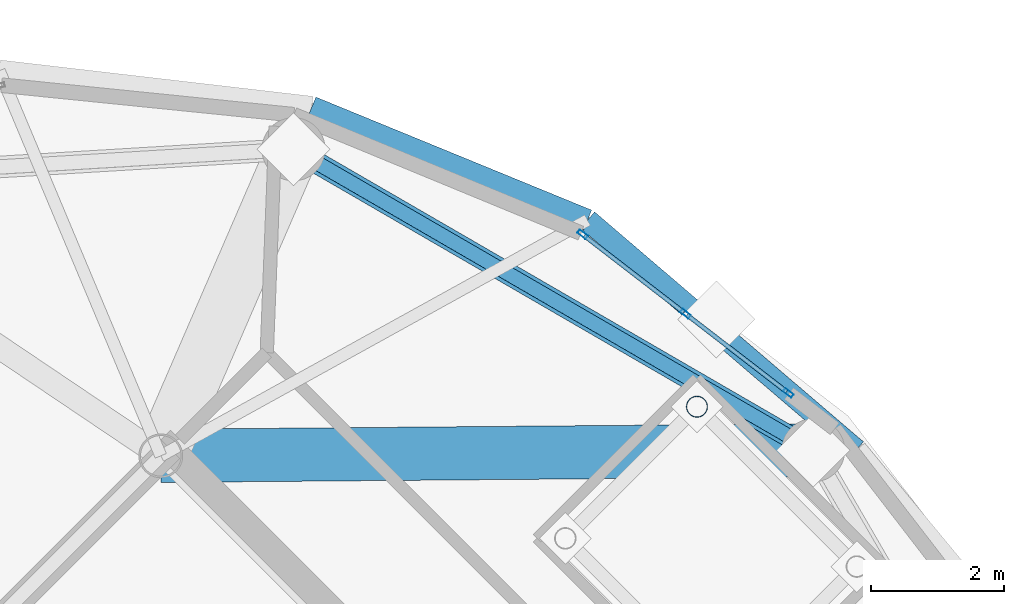
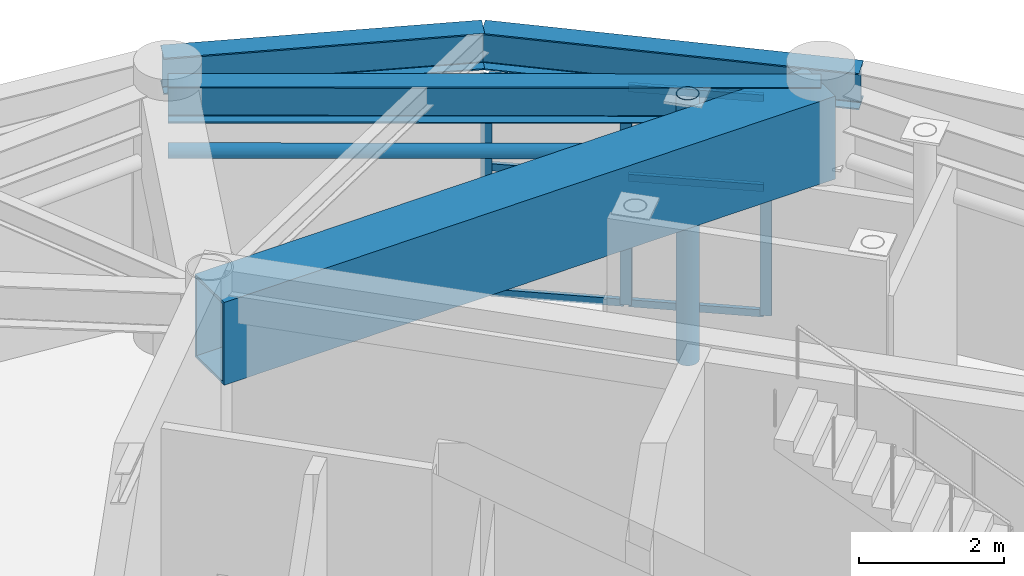
# One storey, part 18 of 28: 11 members, 4 beams, 1 element without a shape of its own.
"""IFC4 building model written with IfcOpenShell, lengths in metres."""

from ifc_helpers import new_model, si_unit, direction, frame, origin, origin_2d, place, context, subcontext, project, spatial, hollow_rectangle, hollow_circle, i_section, extrude, material, layer, layer_set, material_profile, profile_set, type_object, element, aggregate, save


model = new_model("IFC4")

# Units and contexts
model_context = context("Model", 3, precision=1e-05, world=origin(), true_north=direction((0.0, 1.0)))
body_context = subcontext(model_context, "Body", "Model", "MODEL_VIEW")
ifc_project = project(units=[si_unit("LENGTHUNIT", "METRE"), si_unit("AREAUNIT", "SQUARE_METRE"), si_unit("VOLUMEUNIT", "CUBIC_METRE"), si_unit("PLANEANGLEUNIT", "RADIAN"), si_unit("MASSUNIT", "GRAM", prefix="KILO")], contexts=[model_context])

# Site, building, storey
site_placement = place(None, origin())
site = spatial("IfcSite", under=ifc_project, at=site_placement, CompositionType="ELEMENT")
building_placement = place(site_placement, origin())
building = spatial("IfcBuilding", under=site, at=building_placement, Name="Cununo Teusaquillo Station Towers", CompositionType="ELEMENT")
storey_placement = place(building_placement, frame((0.0, 0.0, 235.64990234375)))
storey = spatial("IfcBuildingStorey", under=building, at=storey_placement, Name="L75", CompositionType="ELEMENT", Elevation=235.64990234375)

# Beams
ifc_material_1 = material(Name="Steel ASTM A572 Grade 50", Category="steel")
ifc_material_profile_1 = material_profile(ifc_material_1, i_section(OverallWidth=0.324951171875, OverallDepth=0.615966796875, WebThickness=0.013916015625, FlangeThickness=0.021484375, FilletRadius=0.01611328125, at=origin_2d()), Name="W24X117")
ifc_profile_set_1 = profile_set([ifc_material_profile_1], Name="Steel ASTM A572 Grade 50")
beam_type_1 = type_object("IfcBeamType", Name="BM-PLNT-G2", PredefinedType="BEAM", material=ifc_profile_set_1)
beam_1_placement = place(storey_placement, frame((66.10693359375, 33.10693359375, 4.031982421875), z_axis=(-0.865267103202, 0.501311121078, 0.0), x_axis=(-0.501311121078, -0.865267103202, 0.0)))
element("IfcBeam", 1, at=beam_1_placement, inside=storey, type_object=beam_type_1, Name="L75 Tower B Structural Column Ring Girder 01", PredefinedType="BEAM", context=body_context, shape_type="SweptSolid", body=[
    extrude(i_section(OverallWidth=0.324951171875, OverallDepth=0.615966796875, WebThickness=0.013916015625, FlangeThickness=0.021484375, FilletRadius=0.01611328125, at=origin_2d()), origin(), (0.0, 0.0, 1.0), 9.032958984375),
])
beam_2_placement = place(storey_placement, frame((66.757080078125, 33.112548828125, 4.031982421875), z_axis=(-0.760065778291, 0.649846145385, 0.0), x_axis=(-0.649846145385, -0.760065778291, 0.0)))
element("IfcBeam", 2, at=beam_2_placement, inside=storey, type_object=beam_type_1, Name="L75 Tower B Spandrel Ring Beam 01", PredefinedType="BEAM", context=body_context, shape_type="SweptSolid", body=[
    extrude(i_section(OverallWidth=0.324951171875, OverallDepth=0.615966796875, WebThickness=0.013916015625, FlangeThickness=0.021484375, FilletRadius=0.01611328125, at=origin_2d()), origin(), (0.0, 0.0, 1.0), 5.320556640625),
])
beam_3_placement = place(storey_placement, frame((62.713134765625, 36.570068359375, 4.031982421875), z_axis=(-0.925283830437, 0.379275405388, 0.0), x_axis=(-0.379275405388, -0.925283830437, 0.0)))
element("IfcBeam", 3, at=beam_3_placement, inside=storey, type_object=beam_type_1, Name="L75 Tower B Spandrel Ring Beam 02", PredefinedType="BEAM", context=body_context, shape_type="SweptSolid", body=[
    extrude(i_section(OverallWidth=0.324951171875, OverallDepth=0.615966796875, WebThickness=0.013916015625, FlangeThickness=0.021484375, FilletRadius=0.01611328125, at=origin_2d()), origin(), (0.0, 0.0, 1.0), 4.482177734375),
])
ifc_material_2 = material(Name="Steel ASTM A572 Grade 50", Category="steel")
ifc_material_profile_2 = material_profile(ifc_material_2, hollow_rectangle(XDim=0.800048828125, YDim=1.39990234375, WallThickness=0.044921875, at=origin_2d()), Name="BOX 1400x800x45")
ifc_profile_set_2 = profile_set([ifc_material_profile_2], Name="Steel ASTM A572 Grade 50")
beam_type_2 = type_object("IfcBeamType", Name="BM-XFER-SEC", PredefinedType="USERDEFINED", material=ifc_profile_set_2)
beam_4_placement = place(storey_placement, frame((56.29443359375, 33.024169921875, 3.6201171875), z_axis=(0.999964431382, 0.008434214327, 0.0), x_axis=(-0.008434214327, 0.999964431382, 0.0)))
element("IfcBeam", 4, at=beam_4_placement, inside=storey, type_object=beam_type_2, Name="L75 Tower B TMD Overhead Suspension Girder 3", ObjectType="TRANSFER GIRDER", PredefinedType="USERDEFINED", context=body_context, shape_type="SweptSolid", body=[
    extrude(hollow_rectangle(XDim=0.800048828125, YDim=1.39990234375, WallThickness=0.044921875, at=origin_2d()), origin(), (0.0, 0.0, 1.0), 9.812744140625),
])

# Curtain wall, members
ifc_material_3 = material(Name="Ceramic-fritted dark low-E double glazing", Category="glass")
ifc_layer = layer(ifc_material_3, 0.179931640625)
ifc_layer_set = layer_set([ifc_layer], Name="Ceramic-fritted dark low-E double glazing")
curtain_wall_type = type_object("IfcCurtainWallType", Name="CW-SYS-08", PredefinedType="USERDEFINED", material=ifc_layer_set)
curtain_wall_placement = place(storey_placement, origin())
curtain_wall = element("IfcCurtainWall", 5, at=curtain_wall_placement, inside=storey, type_object=curtain_wall_type, Name="L75 Tower B Crown Drum Glazed Screen C00", ObjectType="FRITTED GLAZING", PredefinedType="USERDEFINED")
ifc_material_4 = material(Name="Anodised dark bronze aluminium EN AW-6063-T6", Category="aluminium")
ifc_material_profile_3 = material_profile(ifc_material_4, hollow_rectangle(XDim=0.06494140625, YDim=0.159912109375, WallThickness=0.00390625, at=origin_2d()), Name="CW-MULL-65x160")
ifc_profile_set_3 = profile_set([ifc_material_profile_3], Name="Anodised dark bronze aluminium EN AW-6063-T6")
member_type_1 = type_object("IfcMemberType", Name="CWM-160", PredefinedType="MULLION", material=ifc_profile_set_3)
member_1_placement = place(storey_placement, frame((62.63916015625, 36.35400390625, 0.0), z_axis=(0.0, 0.0, 1.0), x_axis=(0.610566119397, 0.791965285757, 0.0)))
member_1 = element("IfcMember", 6, at=member_1_placement, type_object=member_type_1, Name="CW-08 mullion 1", PredefinedType="MULLION", context=body_context, shape_type="SweptSolid", body=[
    extrude(hollow_rectangle(XDim=0.06494140625, YDim=0.159912109375, WallThickness=0.00390625, at=origin_2d()), origin(), (0.0, 0.0, 1.0), 3.696044921875),
])
member_2_placement = place(storey_placement, frame((64.185546875, 35.161865234375, 0.0), z_axis=(0.0, 0.0, 1.0), x_axis=(0.610566119397, 0.791965285757, 0.0)))
member_2 = element("IfcMember", 7, at=member_2_placement, type_object=member_type_1, Name="CW-08 mullion 2", PredefinedType="MULLION", context=body_context, shape_type="SweptSolid", body=[
    extrude(hollow_rectangle(XDim=0.06494140625, YDim=0.159912109375, WallThickness=0.00390625, at=origin_2d()), origin(), (0.0, 0.0, 1.0), 3.696044921875),
])
member_3_placement = place(storey_placement, frame((65.73193359375, 33.9697265625, 0.0), z_axis=(0.0, 0.0, 1.0), x_axis=(0.610566119397, 0.791965285757, 0.0)))
member_3 = element("IfcMember", 8, at=member_3_placement, type_object=member_type_1, Name="CW-08 mullion 3", PredefinedType="MULLION", context=body_context, shape_type="SweptSolid", body=[
    extrude(hollow_rectangle(XDim=0.06494140625, YDim=0.159912109375, WallThickness=0.00390625, at=origin_2d()), origin(), (0.0, 0.0, 1.0), 3.696044921875),
])
ifc_material_5 = material(Name="Anodised dark bronze aluminium EN AW-6063-T6", Category="aluminium")
ifc_material_profile_4 = material_profile(ifc_material_5, hollow_rectangle(XDim=0.06494140625, YDim=0.1201171875, WallThickness=0.00390625, at=origin_2d()), Name="CW-TRAN-65x120")
ifc_profile_set_4 = profile_set([ifc_material_profile_4], Name="Anodised dark bronze aluminium EN AW-6063-T6")
member_type_2 = type_object("IfcMemberType", Name="CWT-120", PredefinedType="USERDEFINED", material=ifc_profile_set_4)
member_4_placement = place(storey_placement, frame((62.664794921875, 36.334228515625, 0.03271484375), z_axis=(0.791935926807, -0.610604198997, 0.0), x_axis=(0.610604198997, 0.791935926807, 0.0)))
member_4 = element("IfcMember", 9, at=member_4_placement, type_object=member_type_2, Name="CW-08 transom 1.1", ObjectType="TRANSOM", PredefinedType="USERDEFINED", context=body_context, shape_type="SweptSolid", body=[
    extrude(hollow_rectangle(XDim=0.06494140625, YDim=0.1201171875, WallThickness=0.00390625, at=origin_2d()), origin(), (0.0, 0.0, 1.0), 1.8876953125),
])
member_5_placement = place(storey_placement, frame((62.664794921875, 36.334228515625, 2.150146484375), z_axis=(0.791935926807, -0.610604198997, 0.0), x_axis=(0.610604198997, 0.791935926807, 0.0)))
member_5 = element("IfcMember", 10, at=member_5_placement, type_object=member_type_2, Name="CW-08 transom 1.2", ObjectType="TRANSOM", PredefinedType="USERDEFINED", context=body_context, shape_type="SweptSolid", body=[
    extrude(hollow_rectangle(XDim=0.06494140625, YDim=0.1201171875, WallThickness=0.00390625, at=origin_2d()), origin(), (0.0, 0.0, 1.0), 1.8876953125),
])
member_6_placement = place(storey_placement, frame((62.664794921875, 36.334228515625, 3.66357421875), z_axis=(0.791935926807, -0.610604198997, 0.0), x_axis=(0.610604198997, 0.791935926807, 0.0)))
member_6 = element("IfcMember", 11, at=member_6_placement, type_object=member_type_2, Name="CW-08 transom 1.3", ObjectType="TRANSOM", PredefinedType="USERDEFINED", context=body_context, shape_type="SweptSolid", body=[
    extrude(hollow_rectangle(XDim=0.06494140625, YDim=0.1201171875, WallThickness=0.00390625, at=origin_2d()), origin(), (0.0, 0.0, 1.0), 1.8876953125),
])
member_7_placement = place(storey_placement, frame((64.211181640625, 35.14208984375, 0.03271484375), z_axis=(0.791935926807, -0.610604198997, 0.0), x_axis=(0.610604198997, 0.791935926807, 0.0)))
member_7 = element("IfcMember", 12, at=member_7_placement, type_object=member_type_2, Name="CW-08 transom 2.1", ObjectType="TRANSOM", PredefinedType="USERDEFINED", context=body_context, shape_type="SweptSolid", body=[
    extrude(hollow_rectangle(XDim=0.06494140625, YDim=0.1201171875, WallThickness=0.00390625, at=origin_2d()), origin(), (0.0, 0.0, 1.0), 1.8876953125),
])
member_8_placement = place(storey_placement, frame((64.211181640625, 35.14208984375, 2.150146484375), z_axis=(0.791935926807, -0.610604198997, 0.0), x_axis=(0.610604198997, 0.791935926807, 0.0)))
member_8 = element("IfcMember", 13, at=member_8_placement, type_object=member_type_2, Name="CW-08 transom 2.2", ObjectType="TRANSOM", PredefinedType="USERDEFINED", context=body_context, shape_type="SweptSolid", body=[
    extrude(hollow_rectangle(XDim=0.06494140625, YDim=0.1201171875, WallThickness=0.00390625, at=origin_2d()), origin(), (0.0, 0.0, 1.0), 1.8876953125),
])
member_9_placement = place(storey_placement, frame((64.211181640625, 35.14208984375, 3.66357421875), z_axis=(0.791935926807, -0.610604198997, 0.0), x_axis=(0.610604198997, 0.791935926807, 0.0)))
member_9 = element("IfcMember", 14, at=member_9_placement, type_object=member_type_2, Name="CW-08 transom 2.3", ObjectType="TRANSOM", PredefinedType="USERDEFINED", context=body_context, shape_type="SweptSolid", body=[
    extrude(hollow_rectangle(XDim=0.06494140625, YDim=0.1201171875, WallThickness=0.00390625, at=origin_2d()), origin(), (0.0, 0.0, 1.0), 1.8876953125),
])
aggregate(curtain_wall, [member_1, member_2, member_3, member_4, member_5, member_6, member_7, member_8, member_9])

# Members
ifc_material_6 = material(Name="Steel EN 10025-2 S355J2", Category="steel")
ifc_material_profile_5 = material_profile(ifc_material_6, hollow_circle(Radius=0.109619140625, WallThickness=0.010009765625, at=origin_2d()), Name="CHS 219x10")
ifc_profile_set_5 = profile_set([ifc_material_profile_5], Name="Steel EN 10025-2 S355J2")
member_type_3 = type_object("IfcMemberType", Name="MBR-DRUM-COL", PredefinedType="COLLAR", material=ifc_profile_set_5)
member_10_placement = place(storey_placement, frame((66.10693359375, 33.10693359375, 3.150146484375), z_axis=(-0.865267103202, 0.501311121078, 0.0), x_axis=(-0.501311121078, -0.865267103202, 0.0)))
element("IfcMember", 15, at=member_10_placement, inside=storey, type_object=member_type_3, Name="L75 Tower B Crown Drum Collar 01", PredefinedType="COLLAR", context=body_context, shape_type="SweptSolid", body=[
    extrude(hollow_circle(Radius=0.109619140625, WallThickness=0.010009765625, at=origin_2d()), origin(), (0.0, 0.0, 1.0), 9.032958984375),
])
ifc_material_7 = material(Name="Steel EN 10025-2 S355J2", Category="steel")
ifc_material_profile_6 = material_profile(ifc_material_7, hollow_circle(Radius=0.162109375, WallThickness=0.011962890625, at=origin_2d()), Name="CHS 324x12")
ifc_profile_set_6 = profile_set([ifc_material_profile_6], Name="Steel EN 10025-2 S355J2")
member_type_4 = type_object("IfcMemberType", Name="MBR-TMD-POST", PredefinedType="POST", material=ifc_profile_set_6)
member_11_placement = place(storey_placement, frame((64.35888671875, 33.76318359375, -0.14990234375), z_axis=(0.0, 0.0, 1.0), x_axis=(1.0, 0.0, 0.0)))
element("IfcMember", 16, at=member_11_placement, inside=storey, type_object=member_type_4, Name="L75 Tower B Tuned Mass Damper Frame Post 3", PredefinedType="POST", context=body_context, shape_type="SweptSolid", body=[
    extrude(hollow_circle(Radius=0.162109375, WallThickness=0.011962890625, at=origin_2d()), origin(), (0.0, 0.0, 1.0), 4.489990234375),
])

save(model, "model.ifc")
